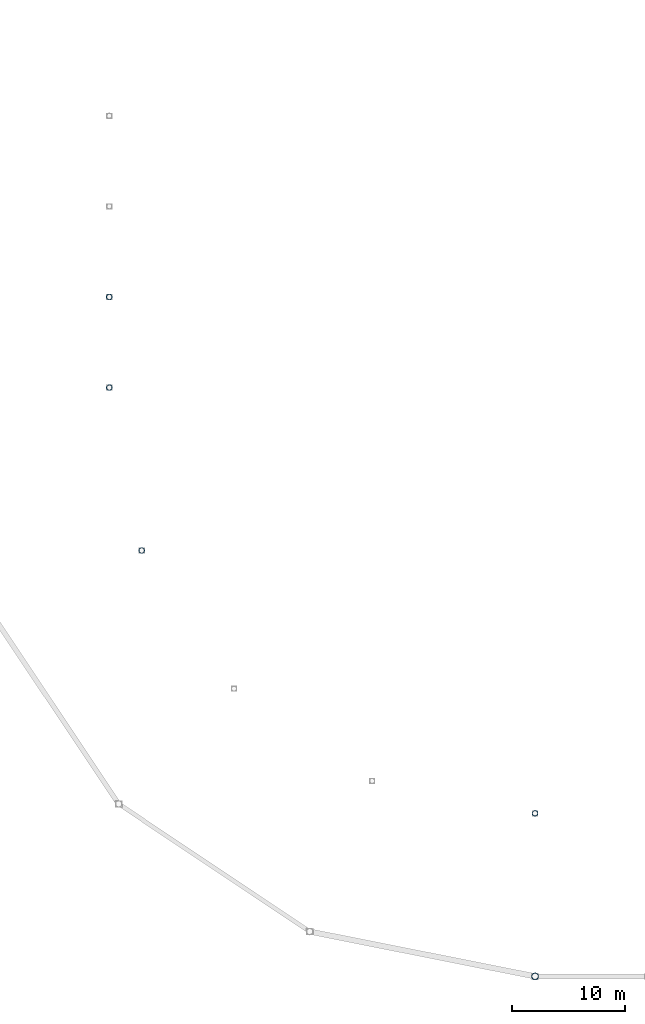
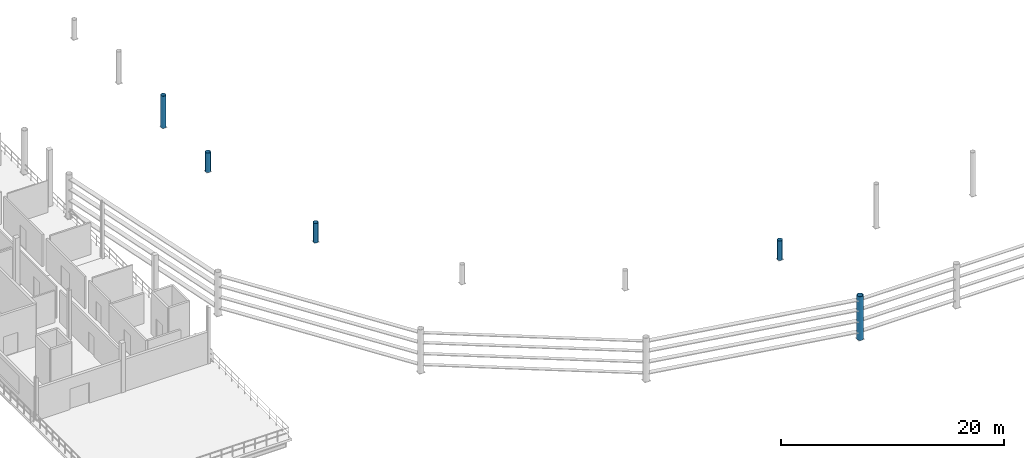
# One storey, part 4 of 29: 5 columns.
"""IFC4 building model written with IfcOpenShell, lengths in metres."""

from ifc_helpers import new_model, si_unit, direction, frame, origin, origin_2d, place, context, subcontext, project, spatial, hollow_circle, extrude, material, material_profile, profile_set, type_object, element, save


model = new_model("IFC4")

# Units and contexts
model_context = context("Model", 3, precision=1e-05, world=origin(), true_north=direction((0.0, 1.0)))
body_context = subcontext(model_context, "Body", "Model", "MODEL_VIEW")
ifc_project = project(units=[si_unit("LENGTHUNIT", "METRE"), si_unit("AREAUNIT", "SQUARE_METRE"), si_unit("VOLUMEUNIT", "CUBIC_METRE"), si_unit("PLANEANGLEUNIT", "RADIAN"), si_unit("MASSUNIT", "GRAM", prefix="KILO")], contexts=[model_context])

# Site, building, storey
site_placement = place(None, origin())
site = spatial("IfcSite", under=ifc_project, at=site_placement, CompositionType="ELEMENT")
building_placement = place(site_placement, origin())
building = spatial("IfcBuilding", under=site, at=building_placement, Name="Candeia Ridge Stadium", CompositionType="ELEMENT")
storey_placement = place(building_placement, frame((0.0, 0.0, 27.0)))
storey = spatial("IfcBuildingStorey", under=building, at=storey_placement, Name="L05", CompositionType="ELEMENT", Elevation=27.0)

# Columns
ifc_material = material(Name="Steel ASTM A572 Grade 50", Category="steel")
ifc_material_profile_1 = material_profile(ifc_material, hollow_circle(Radius=0.25390625, WallThickness=0.02197265625, at=origin_2d()), Name="CHS508x22", Category="steel")
ifc_profile_set_1 = profile_set([ifc_material_profile_1], Name="Steel ASTM A572 Grade 50")
column_type_1 = type_object("IfcColumnType", Name="Roof Inner Mast CHS508x22", PredefinedType="PILASTER", material=ifc_profile_set_1)
column_1_placement = place(storey_placement, frame((33.39990234375, 79.0, 0.0), z_axis=(0.0, 0.0, 1.0), x_axis=(1.0, 0.0, 0.0)))
element("IfcColumn", 1, at=column_1_placement, inside=storey, type_object=column_type_1, Name="Roof truss steel mast column BC-MD-13 L05", PredefinedType="PILASTER", context=body_context, shape_type="SweptSolid", body=[
    extrude(hollow_circle(Radius=0.25390625, WallThickness=0.02197265625, at=origin_2d()), origin(), (0.0, 0.0, 1.0), 3.521484375),
])
for number, where, z_axis, x_axis, name in (
    (2, (33.39990234375, 71.0, 0.0), (0.0, 0.0, 1.0), (1.0, 0.0, 0.0), "Roof truss steel mast column BC-MD-14 L05"),
    (3, (36.26220703125, 56.611083984375, 0.0), (0.0, 0.0, 1.0), (1.0, 0.0, 0.0), "Roof truss steel mast column BC-MD-15 L05"),
    (4, (71.0, 33.39990234375, 0.0), (0.0, 0.0, 1.0), (1.0, 0.0, 0.0), "Roof truss steel mast column BC-MD-18 L05"),
):
    element("IfcColumn", number, at=place(storey_placement, frame(where, z_axis=z_axis, x_axis=x_axis)), inside=storey, type_object=column_type_1, Name=name, PredefinedType="PILASTER", context=body_context, shape_type="SweptSolid", body=[
        extrude(hollow_circle(Radius=0.25390625, WallThickness=0.02197265625, at=origin_2d()), origin(), (0.0, 0.0, 1.0), 2.135986328125),
    ])
ifc_material_profile_2 = material_profile(ifc_material, hollow_circle(Radius=0.304931640625, WallThickness=0.02490234375, at=origin_2d()), Name="CHS610x25", Category="steel")
ifc_profile_set_2 = profile_set([ifc_material_profile_2], Name="Steel ASTM A572 Grade 50")
column_type_2 = type_object("IfcColumnType", Name="Roof Mast Column CHS610x25", PredefinedType="PILASTER", material=ifc_profile_set_2)
column_2_placement = place(storey_placement, frame((71.0, 19.0, 0.0), z_axis=(0.0, 0.0, 1.0), x_axis=(1.0, 0.0, 0.0)))
element("IfcColumn", 5, at=column_2_placement, inside=storey, type_object=column_type_2, Name="Roof truss steel mast column BC-OU-18 L05", PredefinedType="PILASTER", context=body_context, shape_type="SweptSolid", body=[
    extrude(hollow_circle(Radius=0.304931640625, WallThickness=0.02490234375, at=origin_2d()), origin(), (0.0, 0.0, 1.0), 4.800048828125),
])

save(model, "model.ifc")
